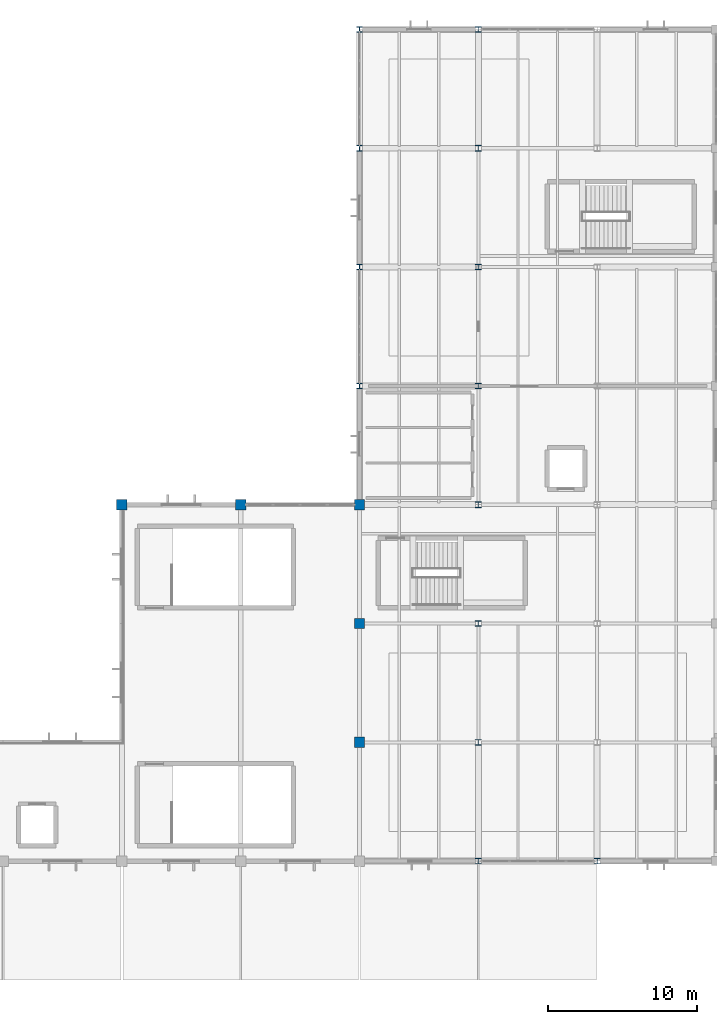
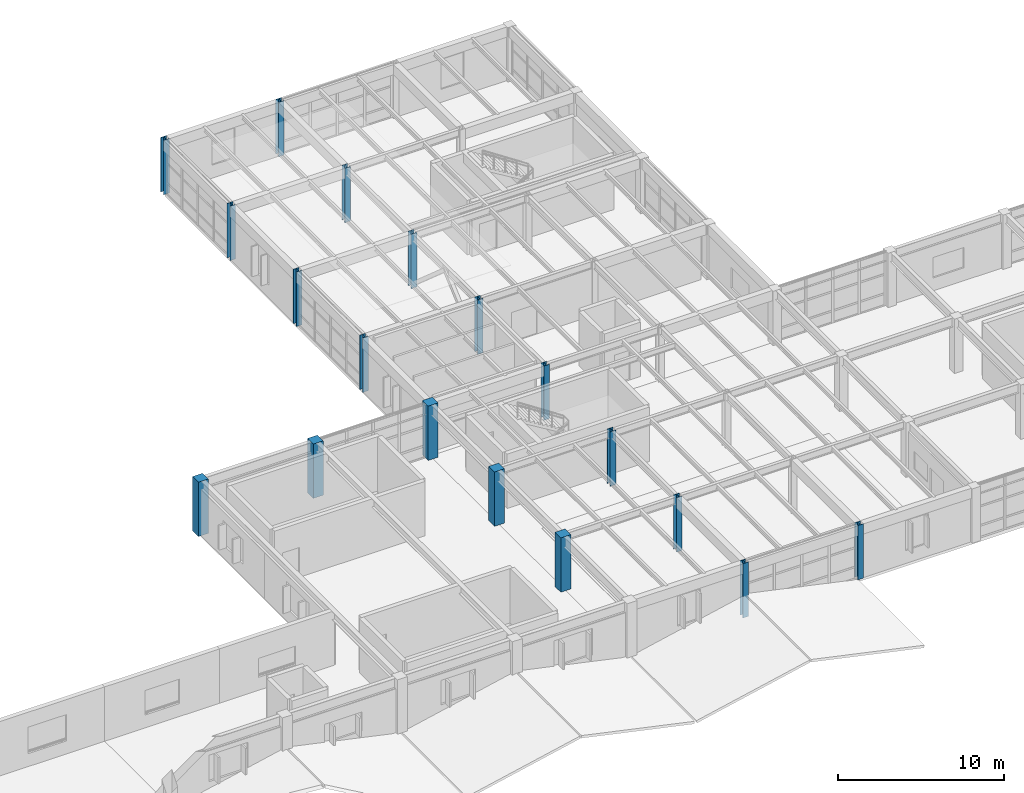
# One storey, part 5 of 48: 18 columns.
"""IFC4 building model written with IfcOpenShell, lengths in metres."""

from ifc_helpers import new_model, si_unit, direction, frame, origin, origin_2d, place, context, subcontext, project, spatial, rectangle, i_section, extrude, material, material_profile, profile_set, type_object, element, save


model = new_model("IFC4")

# Units and contexts
model_context = context("Model", 3, precision=1e-05, world=origin(), true_north=direction((0.0, 1.0)))
body_context = subcontext(model_context, "Body", "Model", "MODEL_VIEW")
ifc_project = project(units=[si_unit("LENGTHUNIT", "METRE"), si_unit("AREAUNIT", "SQUARE_METRE"), si_unit("VOLUMEUNIT", "CUBIC_METRE"), si_unit("PLANEANGLEUNIT", "RADIAN"), si_unit("MASSUNIT", "GRAM", prefix="KILO")], contexts=[model_context])

# Site, building, storey
site_placement = place(None, origin())
site = spatial("IfcSite", under=ifc_project, at=site_placement, CompositionType="ELEMENT")
building_placement = place(site_placement, origin())
building = spatial("IfcBuilding", under=site, at=building_placement, Name="Varnela Railside Interchange", CompositionType="ELEMENT")
storey_placement = place(building_placement, frame((0.0, 0.0, 11.199951171875)))
storey = spatial("IfcBuildingStorey", under=building, at=storey_placement, Name="L02", CompositionType="ELEMENT", Elevation=11.199951171875)

# Columns
ifc_material_1 = material(Name="Concrete C50", Category="concrete")
ifc_material_profile_1 = material_profile(ifc_material_1, rectangle(XDim=0.699951171875, YDim=0.699951171875, at=origin_2d()), Name="RC 700x700")
ifc_profile_set_1 = profile_set([ifc_material_profile_1], Name="Concrete C50")
column_type_1 = type_object("IfcColumnType", Name="Podium Gallery Column C-02", PredefinedType="COLUMN", material=ifc_profile_set_1)
for number, where, z_axis, x_axis, name in (
    (1, (100.0, 62.0, 0.0), (0.0, 0.0, 1.0), (1.0, 0.0, 0.0), "Column C-02 (L02) (CL-0712)"),
    (2, (108.0, 62.0, 0.0), (0.0, 0.0, 1.0), (1.0, 0.0, 0.0), "Column C-02 (L02) (CL-0714)"),
    (3, (116.0, 46.0, 0.0), (0.0, 0.0, 1.0), (1.0, 0.0, 0.0), "Column C-02 (L02) (CL-0716)"),
    (4, (116.0, 54.0, 0.0), (0.0, 0.0, 1.0), (1.0, 0.0, 0.0), "Column C-02 (L02) (CL-0717)"),
    (5, (116.0, 62.0, 0.0), (0.0, 0.0, 1.0), (1.0, 0.0, 0.0), "Column C-02 (L02) (CL-0718)"),
):
    element("IfcColumn", number, at=place(storey_placement, frame(where, z_axis=z_axis, x_axis=x_axis)), inside=storey, type_object=column_type_1, Name=name, PredefinedType="COLUMN", context=body_context, shape_type="SweptSolid", body=[
        extrude(rectangle(XDim=0.699951171875, YDim=0.699951171875, at=origin_2d()), origin(), (0.0, 0.0, 1.0), 4.0),
    ])
ifc_material_2 = material(Name="Steel AR 350 (350 MPa)", Category="steel")
ifc_material_profile_2 = material_profile(ifc_material_2, i_section(OverallWidth=0.39404296875, OverallDepth=0.375, WebThickness=0.017333984375, FlangeThickness=0.027587890625, at=origin_2d()), Name="W360x216")
ifc_profile_set_2 = profile_set([ifc_material_profile_2], Name="Steel AR 350 (350 MPa)")
column_type_2 = type_object("IfcColumnType", Name="Superstructure Steel Col C-17", PredefinedType="COLUMN", material=ifc_profile_set_2)
for number, where, z_axis, x_axis, name in (
    (6, (116.0, 70.0, 0.0), (0.0, 0.0, 1.0), (1.0, 0.0, 0.0), "Column C-17 (L02) (CL-0719)"),
    (7, (116.0, 78.0, 0.0), (0.0, 0.0, 1.0), (1.0, 0.0, 0.0), "Column C-17 (L02) (CL-0720)"),
    (8, (116.0, 86.0, 0.0), (0.0, 0.0, 1.0), (1.0, 0.0, 0.0), "Column C-17 (L02) (CL-0721)"),
    (9, (116.0, 94.0, 0.0), (0.0, 0.0, 1.0), (1.0, 0.0, 0.0), "Column C-17 (L02) (CL-0722)"),
    (10, (124.0, 38.0, 0.0), (0.0, 0.0, 1.0), (1.0, 0.0, 0.0), "Column C-17 (L02) (CL-0723)"),
    (11, (124.0, 46.0, 0.0), (0.0, 0.0, 1.0), (1.0, 0.0, 0.0), "Column C-17 (L02) (CL-0724)"),
    (12, (124.0, 54.0, 0.0), (0.0, 0.0, 1.0), (1.0, 0.0, 0.0), "Column C-17 (L02) (CL-0725)"),
    (13, (124.0, 62.0, 0.0), (0.0, 0.0, 1.0), (1.0, 0.0, 0.0), "Column C-17 (L02) (CL-0726)"),
    (14, (124.0, 70.0, 0.0), (0.0, 0.0, 1.0), (1.0, 0.0, 0.0), "Column C-17 (L02) (CL-0727)"),
    (15, (124.0, 78.0, 0.0), (0.0, 0.0, 1.0), (1.0, 0.0, 0.0), "Column C-17 (L02) (CL-0728)"),
    (16, (124.0, 86.0, 0.0), (0.0, 0.0, 1.0), (1.0, 0.0, 0.0), "Column C-17 (L02) (CL-0729)"),
    (17, (124.0, 94.0, 0.0), (0.0, 0.0, 1.0), (1.0, 0.0, 0.0), "Column C-17 (L02) (CL-0730)"),
    (18, (132.0, 38.0, 0.0), (0.0, 0.0, 1.0), (1.0, 0.0, 0.0), "Column C-17 (L02) (CL-0731)"),
):
    element("IfcColumn", number, at=place(storey_placement, frame(where, z_axis=z_axis, x_axis=x_axis)), inside=storey, type_object=column_type_2, Name=name, PredefinedType="COLUMN", context=body_context, shape_type="SweptSolid", body=[
        extrude(i_section(OverallWidth=0.39404296875, OverallDepth=0.375, WebThickness=0.017333984375, FlangeThickness=0.027587890625, at=origin_2d()), origin(), (0.0, 0.0, 1.0), 4.0),
    ])

save(model, "model.ifc")
